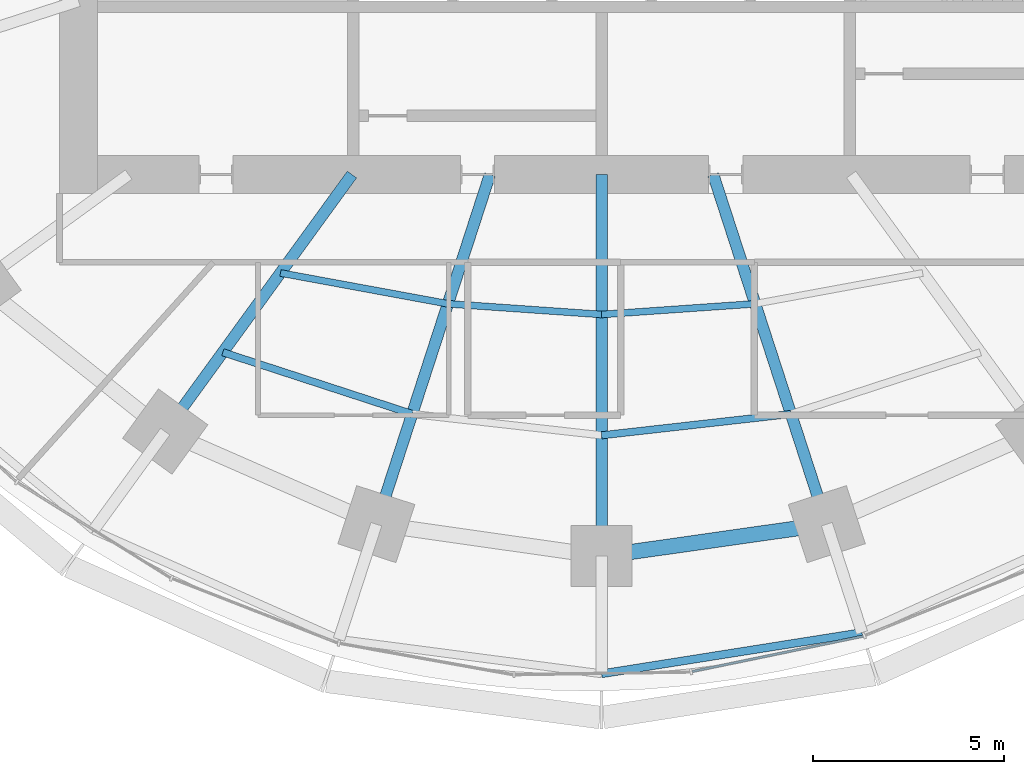
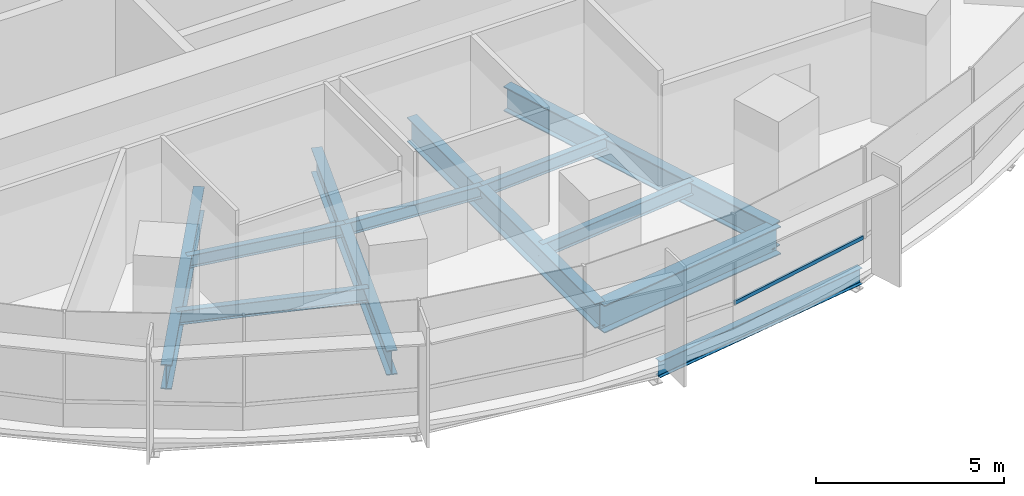
# One storey, part 3 of 14: 11 beams, 1 member, 1 element without a shape of its own.
"""IFC4 building model written with IfcOpenShell, lengths in metres."""

from ifc_helpers import new_model, si_unit, direction, frame, origin, origin_2d, place, context, subcontext, project, spatial, rectangle, i_section, extrude, material, material_profile, profile_set, type_object, element, aggregate, save


model = new_model("IFC4")

# Units and contexts
model_context = context("Model", 3, precision=1e-05, world=origin(), true_north=direction((0.0, 1.0)))
body_context = subcontext(model_context, "Body", "Model", "MODEL_VIEW")
ifc_project = project(units=[si_unit("LENGTHUNIT", "METRE"), si_unit("AREAUNIT", "SQUARE_METRE"), si_unit("VOLUMEUNIT", "CUBIC_METRE"), si_unit("PLANEANGLEUNIT", "RADIAN"), si_unit("MASSUNIT", "GRAM", prefix="KILO")], contexts=[model_context])

# Site, building, storey
site_placement = place(None, origin())
site = spatial("IfcSite", under=ifc_project, at=site_placement, CompositionType="ELEMENT")
building_placement = place(site_placement, origin())
building = spatial("IfcBuilding", under=site, at=building_placement, Name="Marramba Exchange Tower", CompositionType="ELEMENT")
storey_placement = place(building_placement, frame((0.0, 0.0, 127.5)))
storey = spatial("IfcBuildingStorey", under=building, at=storey_placement, Name="L30", CompositionType="ELEMENT", Elevation=127.5)

# Beams
ifc_material_1 = material(Name="Steel AS/NZS 3679.1 grade 300", Category="steel")
ifc_material_profile_1 = material_profile(ifc_material_1, i_section(OverallWidth=0.177978515625, OverallDepth=0.406005859375, WebThickness=0.0078125, FlangeThickness=0.0126953125, FilletRadius=0.011474609375, at=origin_2d()), Name="410UB59.7")
ifc_profile_set_1 = profile_set([ifc_material_profile_1], Name="Steel AS/NZS 3679.1 grade 300")
beam_type_1 = type_object("IfcBeamType", Name="Floor joist 410UB59.7", PredefinedType="JOIST", material=ifc_profile_set_1)
beam_1_placement = place(storey_placement, frame((-8.41162109375, -11.57763671875, -0.363037109375), z_axis=(0.983455754421, -0.181148500119, 0.0), x_axis=(0.181148500119, 0.983455754421, 0.0)))
element("IfcBeam", 1, at=beam_1_placement, inside=storey, type_object=beam_type_1, Name="Joist L30 bay 14 row 1", PredefinedType="JOIST", context=body_context, shape_type="SweptSolid", body=[
    extrude(i_section(OverallWidth=0.177978515625, OverallDepth=0.406005859375, WebThickness=0.0078125, FlangeThickness=0.0126953125, FilletRadius=0.011474609375, at=origin_2d()), origin(), (0.0, 0.0, 1.0), 4.4609375),
])
for number, where, z_axis, x_axis, name in (
    (2, (-4.0244140625, -12.3857421875, -0.363037109375), (0.99759625901, -0.069294328838, 0.0), (0.069294328838, 0.99759625901, 0.0), "Joist L30 bay 15 row 1"),
    (3, (0.0, -12.665283203125, -0.363037109375), (0.99759625901, 0.069294328838, 0.0), (-0.069294328838, 0.99759625901, 0.0), "Joist L30 bay 16 row 1"),
):
    element("IfcBeam", number, at=place(storey_placement, frame(where, z_axis=z_axis, x_axis=x_axis)), inside=storey, type_object=beam_type_1, Name=name, PredefinedType="JOIST", context=body_context, shape_type="SweptSolid", body=[
        extrude(i_section(OverallWidth=0.177978515625, OverallDepth=0.406005859375, WebThickness=0.0078125, FlangeThickness=0.0126953125, FilletRadius=0.011474609375, at=origin_2d()), origin(), (0.0, 0.0, 1.0), 4.0341796875),
    ])
ifc_material_profile_2 = material_profile(ifc_material_1, i_section(OverallWidth=0.18994140625, OverallDepth=0.4541015625, WebThickness=0.008544921875, FlangeThickness=0.0126953125, FilletRadius=0.011474609375, at=origin_2d()), Name="460UB67.1")
ifc_profile_set_2 = profile_set([ifc_material_profile_2], Name="Steel AS/NZS 3679.1 grade 300")
beam_type_2 = type_object("IfcBeamType", Name="Floor joist 460UB67.1", PredefinedType="JOIST", material=ifc_profile_set_2)
beam_2_placement = place(storey_placement, frame((-9.9208984375, -13.655029296875, -0.386962890625), z_axis=(0.950764024931, -0.309915744834, 0.0), x_axis=(0.309915744834, 0.950764024931, 0.0)))
element("IfcBeam", 4, at=beam_2_placement, inside=storey, type_object=beam_type_2, Name="Joist L30 bay 14 row 2", PredefinedType="JOIST", context=body_context, shape_type="SweptSolid", body=[
    extrude(i_section(OverallWidth=0.18994140625, OverallDepth=0.4541015625, WebThickness=0.008544921875, FlangeThickness=0.0126953125, FilletRadius=0.011474609375, at=origin_2d()), origin(), (0.0, 0.0, 1.0), 5.2158203125),
])
beam_3_placement = place(storey_placement, frame((0.0, -15.83056640625, -0.386962890625), z_axis=(0.993712018573, 0.111966174106, 0.0), x_axis=(-0.111966174106, 0.993712018573, 0.0)))
element("IfcBeam", 5, at=beam_3_placement, inside=storey, type_object=beam_type_2, Name="Joist L30 bay 16 row 2", PredefinedType="JOIST", context=body_context, shape_type="SweptSolid", body=[
    extrude(i_section(OverallWidth=0.18994140625, OverallDepth=0.4541015625, WebThickness=0.008544921875, FlangeThickness=0.0126953125, FilletRadius=0.011474609375, at=origin_2d()), origin(), (0.0, 0.0, 1.0), 4.993408203125),
])

# Curtain wall, member
ifc_material_2 = material(Name="Aluminium framing, bronze anodised", Category="aluminium")
curtain_wall_type = type_object("IfcCurtainWallType", Name="Office ribbon curtain wall", PredefinedType="USERDEFINED", material=ifc_material_2)
curtain_wall_placement = place(storey_placement, origin())
curtain_wall = element("IfcCurtainWall", 6, at=curtain_wall_placement, inside=storey, type_object=curtain_wall_type, Name="Curtain wall CW4 L30 F21-F25", ObjectType="RIBBON CURTAIN WALL", PredefinedType="USERDEFINED")
ifc_material_3 = material(Name="Aluminium transom, bronze anodised", Category="aluminium")
ifc_material_profile_3 = material_profile(ifc_material_3, rectangle(XDim=0.06005859375, YDim=0.1201171875, at=origin_2d()), Name="CW4 transom 60x120")
ifc_profile_set_3 = profile_set([ifc_material_profile_3], Name="Aluminium transom, bronze anodised")
member_type = type_object("IfcMemberType", Name="Office ribbon curtain wall transom", PredefinedType="USERDEFINED", material=ifc_profile_set_3)
member_placement = place(storey_placement, frame((2.374267578125, -22.017822265625, 0.830078125), z_axis=(0.979310422034, 0.202363774661, 0.0), x_axis=(-0.202363774661, 0.979310422034, 0.0)))
member = element("IfcMember", 7, at=member_placement, type_object=member_type, Name="CW4 sill transom", ObjectType="TRANSOM", PredefinedType="USERDEFINED", context=body_context, shape_type="SweptSolid", body=[
    extrude(rectangle(XDim=0.06005859375, YDim=0.1201171875, at=origin_2d()), origin(), (0.0, 0.0, 1.0), 4.57373046875),
])
aggregate(curtain_wall, [member])

# Beams
ifc_material_4 = material(Name="Steel AS/NZS 3679.2 grade 300", Category="steel")
ifc_material_profile_4 = material_profile(ifc_material_4, i_section(OverallWidth=0.300048828125, OverallDepth=0.800048828125, WebThickness=0.013916015625, FlangeThickness=0.031982421875, at=origin_2d()), Name="800WB192")
ifc_profile_set_4 = profile_set([ifc_material_profile_4], Name="Steel AS/NZS 3679.2 grade 300")
beam_type_3 = type_object("IfcBeamType", Name="Radial girder 800WB192", PredefinedType="BEAM", material=ifc_profile_set_4)
beam_4_placement = place(storey_placement, frame((-6.538818359375, -9.0, -0.56005859375), z_axis=(-0.587787877172, -0.809015087282, 0.0), x_axis=(0.809015087282, -0.587787877172, 0.0)))
element("IfcBeam", 8, at=beam_4_placement, inside=storey, type_object=beam_type_3, Name="Radial girder L30 TC14", PredefinedType="BEAM", context=body_context, shape_type="SweptSolid", body=[
    extrude(i_section(OverallWidth=0.300048828125, OverallDepth=0.800048828125, WebThickness=0.013916015625, FlangeThickness=0.031982421875, at=origin_2d()), origin(), (0.0, 0.0, 1.0), 8.322021484375),
])
beam_5_placement = place(storey_placement, frame((-2.92431640625, -9.0, -0.56005859375), z_axis=(-0.309022428985, -0.951054750466, 0.0), x_axis=(0.951054750466, -0.309022428985, 0.0)))
element("IfcBeam", 9, at=beam_5_placement, inside=storey, type_object=beam_type_3, Name="Radial girder L30 TC15", PredefinedType="BEAM", context=body_context, shape_type="SweptSolid", body=[
    extrude(i_section(OverallWidth=0.300048828125, OverallDepth=0.800048828125, WebThickness=0.013916015625, FlangeThickness=0.031982421875, at=origin_2d()), origin(), (0.0, 0.0, 1.0), 9.628173828125),
])
beam_6_placement = place(storey_placement, frame((0.0, -9.0, -0.56005859375), z_axis=(0.0, -1.0, 0.0), x_axis=(1.0, 0.0, 0.0)))
element("IfcBeam", 10, at=beam_6_placement, inside=storey, type_object=beam_type_3, Name="Radial girder L30 TC16", PredefinedType="BEAM", context=body_context, shape_type="SweptSolid", body=[
    extrude(i_section(OverallWidth=0.300048828125, OverallDepth=0.800048828125, WebThickness=0.013916015625, FlangeThickness=0.031982421875, at=origin_2d()), origin(), (0.0, 0.0, 1.0), 9.99609375),
])
beam_7_placement = place(storey_placement, frame((2.92431640625, -9.0, -0.56005859375), z_axis=(0.309022428985, -0.951054750466, 0.0), x_axis=(0.951054750466, 0.309022428985, 0.0)))
element("IfcBeam", 11, at=beam_7_placement, inside=storey, type_object=beam_type_3, Name="Radial girder L30 TC17", PredefinedType="BEAM", context=body_context, shape_type="SweptSolid", body=[
    extrude(i_section(OverallWidth=0.300048828125, OverallDepth=0.800048828125, WebThickness=0.013916015625, FlangeThickness=0.031982421875, at=origin_2d()), origin(), (0.0, 0.0, 1.0), 9.628173828125),
])
ifc_material_profile_5 = material_profile(ifc_material_4, i_section(OverallWidth=0.39990234375, OverallDepth=0.89990234375, WebThickness=0.01611328125, FlangeThickness=0.031982421875, at=origin_2d()), Name="900WB282")
ifc_profile_set_5 = profile_set([ifc_material_profile_5], Name="Steel AS/NZS 3679.2 grade 300")
beam_type_4 = type_object("IfcBeamType", Name="Ring beam 900WB282", PredefinedType="SPANDREL", material=ifc_profile_set_5)
beam_8_placement = place(storey_placement, frame((0.0, -18.99609375, -0.610107421875), z_axis=(0.990036163016, 0.140813337152, 0.0), x_axis=(-0.140813337152, 0.990036163016, 0.0)))
element("IfcBeam", 12, at=beam_8_placement, inside=storey, type_object=beam_type_4, Name="Ring beam L30 TC16-TC17", PredefinedType="SPANDREL", context=body_context, shape_type="SweptSolid", body=[
    extrude(i_section(OverallWidth=0.39990234375, OverallDepth=0.89990234375, WebThickness=0.01611328125, FlangeThickness=0.031982421875, at=origin_2d()), origin(), (0.0, 0.0, 1.0), 5.958984375),
])
ifc_material_profile_6 = material_profile(ifc_material_1, i_section(OverallWidth=0.208984375, OverallDepth=0.528076171875, WebThickness=0.009521484375, FlangeThickness=0.01318359375, FilletRadius=0.013916015625, at=origin_2d()), Name="530UB82.0")
ifc_profile_set_6 = profile_set([ifc_material_profile_6], Name="Steel AS/NZS 3679.1 grade 300")
beam_type_5 = type_object("IfcBeamType", Name="Slab edge beam 530UB82.0", PredefinedType="SPANDREL", material=ifc_profile_set_6)
beam_9_placement = place(storey_placement, frame((0.0, -22.076904296875, -0.424072265625), z_axis=(0.987705008555, 0.15632919137, 0.0), x_axis=(-0.15632919137, 0.987705008555, 0.0)))
element("IfcBeam", 13, at=beam_9_placement, inside=storey, type_object=beam_type_5, Name="Slab edge beam L30 TC16-TC17", PredefinedType="SPANDREL", context=body_context, shape_type="SweptSolid", body=[
    extrude(i_section(OverallWidth=0.208984375, OverallDepth=0.528076171875, WebThickness=0.009521484375, FlangeThickness=0.01318359375, FilletRadius=0.013916015625, at=origin_2d()), origin(), (0.0, 0.0, 1.0), 6.907470703125),
])

save(model, "model.ifc")
